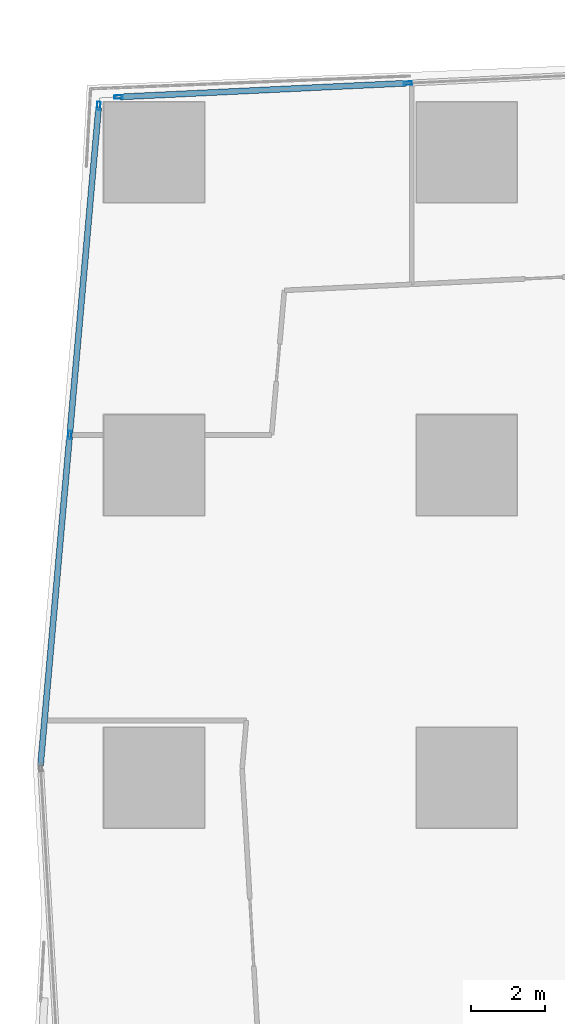
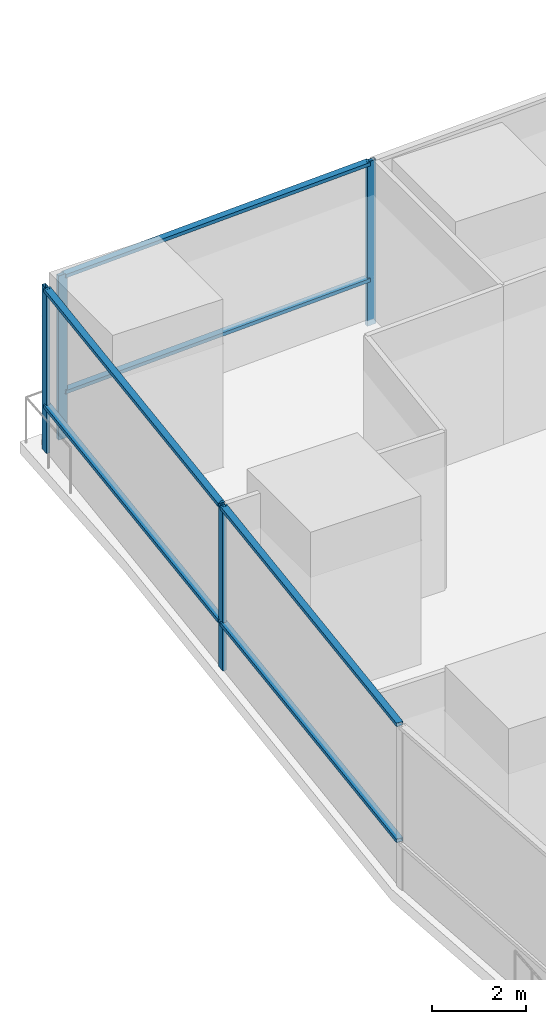
# One storey, part 8 of 39: 10 members, 2 elements without a shape of their own.
"""IFC4 building model written with IfcOpenShell, lengths in metres."""

from ifc_helpers import new_model, si_unit, direction, frame, origin, origin_2d, place, context, subcontext, project, spatial, hollow_rectangle, extrude, material, material_profile, profile_set, type_object, element, aggregate, save


model = new_model("IFC4")

# Units and contexts
model_context = context("Model", 3, precision=1e-05, world=origin(), true_north=direction((0.0, 1.0)))
body_context = subcontext(model_context, "Body", "Model", "MODEL_VIEW")
ifc_project = project(units=[si_unit("LENGTHUNIT", "METRE"), si_unit("AREAUNIT", "SQUARE_METRE"), si_unit("VOLUMEUNIT", "CUBIC_METRE"), si_unit("PLANEANGLEUNIT", "RADIAN"), si_unit("MASSUNIT", "GRAM", prefix="KILO")], contexts=[model_context])

# Site, building, storey
site_placement = place(None, origin())
site = spatial("IfcSite", under=ifc_project, at=site_placement, CompositionType="ELEMENT")
building_placement = place(site_placement, origin())
building = spatial("IfcBuilding", under=site, at=building_placement, Name="Rekha Terrace Tower", CompositionType="ELEMENT")
storey_placement = place(building_placement, frame((0.0, 0.0, 168.199951171875)))
storey = spatial("IfcBuildingStorey", under=building, at=storey_placement, Name="L42", CompositionType="ELEMENT", Elevation=168.199951171875)

# Curtain wall, members
ifc_material_1 = material(Name="Aluminium framing", Category="aluminium")
curtain_wall_type = type_object("IfcCurtainWallType", Name="CW5 sky garden glazing", PredefinedType="USERDEFINED", material=ifc_material_1)
curtain_wall_1_placement = place(storey_placement, origin())
curtain_wall_1 = element("IfcCurtainWall", 1, at=curtain_wall_1_placement, inside=storey, type_object=curtain_wall_type, Name="CW5 sky garden curtain wall", ObjectType="SKY GARDEN CURTAIN WALL", PredefinedType="USERDEFINED")
ifc_material_2 = material(Name="Aluminium mullion section", Category="aluminium")
ifc_material_profile_1 = material_profile(ifc_material_2, hollow_rectangle(XDim=0.090087890625, YDim=0.219970703125, WallThickness=0.00390625, at=origin_2d()), Name="AL RHS 90x220")
ifc_profile_set_1 = profile_set([ifc_material_profile_1], Name="Aluminium mullion section")
member_type_1 = type_object("IfcMemberType", Name="CW5 mullion RHS 90 x 220", PredefinedType="MULLION", material=ifc_profile_set_1)
member_1_placement = place(storey_placement, frame((15.215087890625, 60.654541015625, 0.0), z_axis=(0.0, 0.0, 1.0), x_axis=(0.047758616983, -0.998858906204, 0.0)))
member_1 = element("IfcMember", 2, at=member_1_placement, type_object=member_type_1, Name="CW5 mullion 5", PredefinedType="MULLION", context=body_context, shape_type="SweptSolid", body=[
    extrude(hollow_rectangle(XDim=0.090087890625, YDim=0.219970703125, WallThickness=0.00390625, at=origin_2d()), origin(), (0.0, 0.0, 1.0), 4.25),
])
member_2_placement = place(storey_placement, frame((7.444091796875, 60.282958984375, 0.0), z_axis=(0.0, 0.0, 1.0), x_axis=(0.047758616983, -0.998858906204, 0.0)))
member_2 = element("IfcMember", 3, at=member_2_placement, type_object=member_type_1, Name="CW5 mullion 6", PredefinedType="MULLION", context=body_context, shape_type="SweptSolid", body=[
    extrude(hollow_rectangle(XDim=0.090087890625, YDim=0.219970703125, WallThickness=0.00390625, at=origin_2d()), origin(), (0.0, 0.0, 1.0), 4.25),
])

curtain_wall_2_placement = place(storey_placement, origin())
curtain_wall_2 = element("IfcCurtainWall", 4, at=curtain_wall_2_placement, inside=storey, type_object=curtain_wall_type, Name="CW5 sky garden curtain wall", ObjectType="SKY GARDEN CURTAIN WALL", PredefinedType="USERDEFINED")
member_3_placement = place(storey_placement, frame((6.914794921875, 60.04248046875, 0.0), z_axis=(0.0, 0.0, 1.0), x_axis=(0.996124185428, -0.087957985453, 0.0)))
member_3 = element("IfcMember", 5, at=member_3_placement, type_object=member_type_1, Name="CW5 mullion 1", PredefinedType="MULLION", context=body_context, shape_type="SweptSolid", body=[
    extrude(hollow_rectangle(XDim=0.090087890625, YDim=0.219970703125, WallThickness=0.00390625, at=origin_2d()), origin(), (0.0, 0.0, 1.0), 4.25),
])
member_4_placement = place(storey_placement, frame((6.134521484375, 51.20703125, 0.0), z_axis=(0.0, 0.0, 1.0), x_axis=(0.996124185428, -0.087957985453, 0.0)))
member_4 = element("IfcMember", 6, at=member_4_placement, type_object=member_type_1, Name="CW5 mullion 2", PredefinedType="MULLION", context=body_context, shape_type="SweptSolid", body=[
    extrude(hollow_rectangle(XDim=0.090087890625, YDim=0.219970703125, WallThickness=0.00390625, at=origin_2d()), origin(), (0.0, 0.0, 1.0), 4.25),
])

# Member
ifc_material_3 = material(Name="Aluminium transom section", Category="aluminium")
ifc_material_profile_2 = material_profile(ifc_material_3, hollow_rectangle(XDim=0.159912109375, YDim=0.090087890625, WallThickness=0.0029296875, at=origin_2d()), Name="AL RHS 160x90")
ifc_profile_set_2 = profile_set([ifc_material_profile_2], Name="Aluminium transom section")
member_type_2 = type_object("IfcMemberType", Name="CW5 transom RHS 90 x 160", PredefinedType="USERDEFINED", material=ifc_profile_set_2)
member_5_placement = place(storey_placement, frame((15.170166015625, 60.65234375, 1.199951171875), z_axis=(-0.998859357717, -0.04774917278, 0.0), x_axis=(0.04774917278, -0.998859357717, 0.0)))
member_5 = element("IfcMember", 7, at=member_5_placement, type_object=member_type_2, Name="CW5 transom 5.2", ObjectType="TRANSOM", PredefinedType="USERDEFINED", context=body_context, shape_type="SweptSolid", body=[
    extrude(hollow_rectangle(XDim=0.159912109375, YDim=0.090087890625, WallThickness=0.0029296875, at=origin_2d()), origin(), (0.0, 0.0, 1.0), 7.68994140625),
])

member_6_placement = place(storey_placement, frame((15.170166015625, 60.65234375, 4.205078125), z_axis=(-0.998859357717, -0.04774917278, 0.0), x_axis=(0.04774917278, -0.998859357717, 0.0)))
member_6 = element("IfcMember", 8, at=member_6_placement, type_object=member_type_2, Name="CW5 transom 5.3", ObjectType="TRANSOM", PredefinedType="USERDEFINED", context=body_context, shape_type="SweptSolid", body=[
    extrude(hollow_rectangle(XDim=0.159912109375, YDim=0.090087890625, WallThickness=0.0029296875, at=origin_2d()), origin(), (0.0, 0.0, 1.0), 7.68994140625),
])

aggregate(curtain_wall_1, [member_1, member_2, member_5, member_6])

member_7_placement = place(storey_placement, frame((6.910888671875, 59.99755859375, 1.199951171875), z_axis=(-0.087955488135, -0.996124405939, 0.0), x_axis=(0.996124405939, -0.087955488135, 0.0)))
member_7 = element("IfcMember", 9, at=member_7_placement, type_object=member_type_2, Name="CW5 transom 1.2", ObjectType="TRANSOM", PredefinedType="USERDEFINED", context=body_context, shape_type="SweptSolid", body=[
    extrude(hollow_rectangle(XDim=0.159912109375, YDim=0.090087890625, WallThickness=0.0029296875, at=origin_2d()), origin(), (0.0, 0.0, 1.0), 8.779541015625),
])

member_8_placement = place(storey_placement, frame((6.910888671875, 59.99755859375, 4.205078125), z_axis=(-0.087955488135, -0.996124405939, 0.0), x_axis=(0.996124405939, -0.087955488135, 0.0)))
member_8 = element("IfcMember", 10, at=member_8_placement, type_object=member_type_2, Name="CW5 transom 1.3", ObjectType="TRANSOM", PredefinedType="USERDEFINED", context=body_context, shape_type="SweptSolid", body=[
    extrude(hollow_rectangle(XDim=0.159912109375, YDim=0.090087890625, WallThickness=0.0029296875, at=origin_2d()), origin(), (0.0, 0.0, 1.0), 8.779541015625),
])

member_9_placement = place(storey_placement, frame((6.130615234375, 51.162353515625, 1.199951171875), z_axis=(-0.087944419557, -0.996125383207, 0.0), x_axis=(0.996125383207, -0.087944419557, 0.0)))
member_9 = element("IfcMember", 11, at=member_9_placement, type_object=member_type_2, Name="CW5 transom 2.2", ObjectType="TRANSOM", PredefinedType="USERDEFINED", context=body_context, shape_type="SweptSolid", body=[
    extrude(hollow_rectangle(XDim=0.159912109375, YDim=0.090087890625, WallThickness=0.0029296875, at=origin_2d()), origin(), (0.0, 0.0, 1.0), 8.86962890625),
])

member_10_placement = place(storey_placement, frame((6.130615234375, 51.162353515625, 4.205078125), z_axis=(-0.087944419557, -0.996125383207, 0.0), x_axis=(0.996125383207, -0.087944419557, 0.0)))
member_10 = element("IfcMember", 12, at=member_10_placement, type_object=member_type_2, Name="CW5 transom 2.3", ObjectType="TRANSOM", PredefinedType="USERDEFINED", context=body_context, shape_type="SweptSolid", body=[
    extrude(hollow_rectangle(XDim=0.159912109375, YDim=0.090087890625, WallThickness=0.0029296875, at=origin_2d()), origin(), (0.0, 0.0, 1.0), 8.86962890625),
])

aggregate(curtain_wall_2, [member_3, member_4, member_7, member_8, member_9, member_10])

save(model, "model.ifc")
